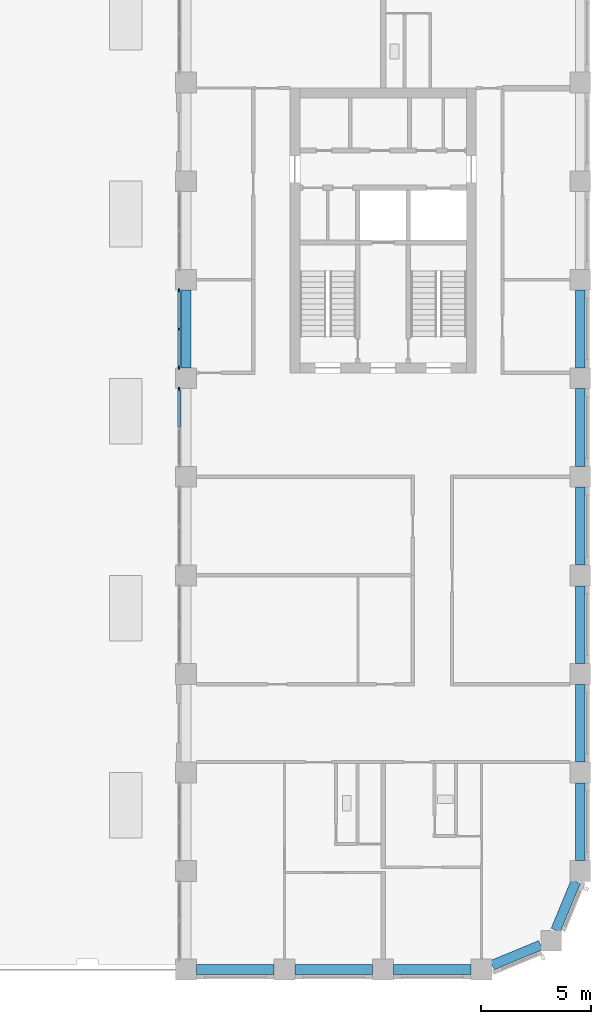
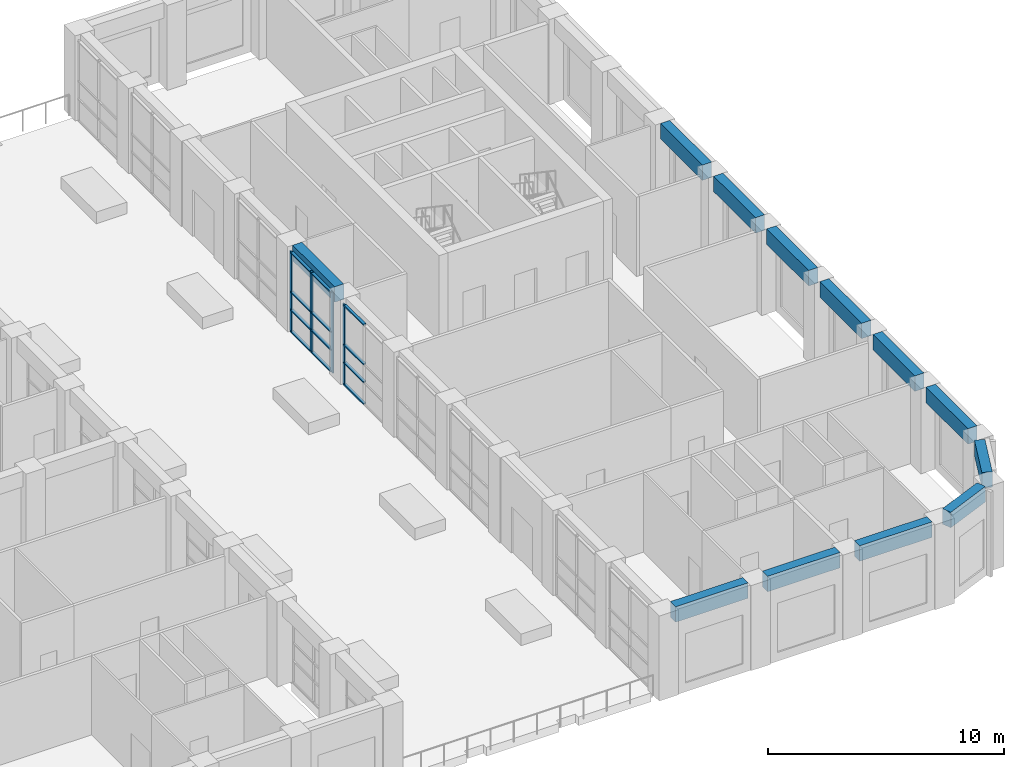
# One storey, part 4 of 20: 16 members, 12 beams, 2 elements without a shape of their own.
"""IFC4 building model written with IfcOpenShell, lengths in metres."""

import ifcopenshell
import ifcopenshell.guid

model = None  # the IFC model being written
_history = None  # IfcOwnerHistory: only IFC2X3 demands one
_inside = {}  # id of a spatial element -> (the spatial element, [elements in it])
_under = {}  # id of a project, library or spatial element -> (it, [spatial elements below it])
_declared = {}  # id of a project -> (the project, [libraries it declares])
_typed = {}  # id of a type object -> (the type object, [elements of that type])
_made_of = {}  # id of a material, layer set ... -> (it, [elements and type objects made of it])


def new_model(schema):
    """Start an empty IFC model of exactly this schema.

    Asked for "IFC4X3", IfcOpenShell would pick the latest addendum, in which some entities
    have other attributes; the version numbers below select the first issue.
    IFC2X3 requires an IfcOwnerHistory on every rooted entity: one is made here for all.
    """
    global model, _history
    if schema == "IFC4X3":
        model = ifcopenshell.file(schema_version=(4, 3, 0, 0))
    else:
        model = ifcopenshell.file(schema=schema)
    _inside.clear()
    _under.clear()
    _declared.clear()
    _typed.clear()
    _made_of.clear()
    _history = None
    if model.schema == "IFC2X3":
        org = make("IfcOrganization", Name="unknown")
        user = make(
            "IfcPersonAndOrganization",
            ThePerson=make("IfcPerson", FamilyName="unknown"),
            TheOrganization=org,
        )
        app = make(
            "IfcApplication",
            ApplicationDeveloper=org,
            Version="unknown",
            ApplicationFullName="unknown",
            ApplicationIdentifier="unknown",
        )
        _history = make(
            "IfcOwnerHistory",
            OwningUser=user,
            OwningApplication=app,
            ChangeAction="ADDED",
            CreationDate=0,
        )
    return model


def make(cls, **values):
    """One entity of the class cls with the attributes given. An attribute that is None is left unset."""
    return model.create_entity(
        cls, **{name: value for name, value in values.items() if value is not None}
    )


def rooted(cls, **values):
    """An entity with a GlobalId (a new one), such as an element, a storey or a relation."""
    return make(cls, GlobalId=ifcopenshell.guid.new(), OwnerHistory=_history, **values)


def si_unit(unit_type, name, prefix=None):
    """IfcSIUnit, for example si_unit("LENGTHUNIT", "METRE", prefix="MILLI")."""
    return make("IfcSIUnit", UnitType=unit_type, Prefix=prefix, Name=name)


def assignment(units):
    """IfcUnitAssignment: the units of a project."""
    return None if units is None else make("IfcUnitAssignment", Units=units)


def point(xyz):
    """IfcCartesianPoint."""
    return None if xyz is None else make("IfcCartesianPoint", Coordinates=xyz)


def direction(xyz):
    """IfcDirection."""
    return None if xyz is None else make("IfcDirection", DirectionRatios=xyz)


def frame(location, z_axis=None, x_axis=None):
    """IfcAxis2Placement3D, a coordinate frame: its origin and axes. An axis left out is left unset."""
    return make(
        "IfcAxis2Placement3D",
        Location=point(location),
        Axis=direction(z_axis),
        RefDirection=direction(x_axis),
    )


def frame_2d(location, x_axis=None):
    """IfcAxis2Placement2D, a coordinate frame in the plane: its origin and x axis."""
    return make(
        "IfcAxis2Placement2D", Location=point(location), RefDirection=direction(x_axis)
    )


def origin():
    """The frame at (0, 0, 0) with its axes left unset."""
    return frame((0.0, 0.0, 0.0))


def origin_2d():
    """The frame at (0, 0) in the plane with its x axis left unset."""
    return frame_2d((0.0, 0.0))


def place(relative_to, where):
    """IfcLocalPlacement: puts the frame where relative to a parent placement (None: the world)."""
    return make(
        "IfcLocalPlacement", PlacementRelTo=relative_to, RelativePlacement=where
    )


def context(
    kind, dimensions, precision=None, world=None, true_north=None, identifier=None
):
    """IfcGeometricRepresentationContext, for example the 3D "Model" context."""
    return make(
        "IfcGeometricRepresentationContext",
        ContextIdentifier=identifier,
        ContextType=kind,
        CoordinateSpaceDimension=dimensions,
        Precision=precision,
        WorldCoordinateSystem=world,
        TrueNorth=true_north,
    )


def subcontext(parent, identifier, kind, view, scale=None):
    """IfcGeometricRepresentationSubContext, for example "Body" below "Model"."""
    return make(
        "IfcGeometricRepresentationSubContext",
        ContextIdentifier=identifier,
        ContextType=kind,
        ParentContext=parent,
        TargetScale=scale,
        TargetView=view,
    )


def project(units=None, contexts=None):
    """IfcProject with its units and contexts."""
    return rooted(
        "IfcProject",
        Name="project",
        RepresentationContexts=contexts,
        UnitsInContext=assignment(units),
    )


def spatial(cls, under=None, at=None, **own):
    """A site, building, storey or space (cls), placed at a placement, below another one or the project."""
    s = rooted(cls, ObjectPlacement=at, **own)
    if under is not None:
        _under.setdefault(under.id(), (under, []))[1].append(s)
    return s


def profile(cls, at=None, kind="AREA", **sizes):
    """A parametric profile (cls). Its sizes go by their IFC names, for example OverallWidth=200.0."""
    return make(cls, ProfileType=kind, Position=at, **sizes)


def rectangle(**sizes):
    """IfcRectangleProfileDef."""
    return profile("IfcRectangleProfileDef", **sizes)


def extrude(swept, where, along, depth):
    """IfcExtrudedAreaSolid: the profile swept, set in the frame where, extruded along a direction by depth."""
    return make(
        "IfcExtrudedAreaSolid",
        SweptArea=swept,
        Position=where,
        ExtrudedDirection=direction(along),
        Depth=depth,
    )


def shape(context_of_items, identifier, shape_type, items):
    """IfcShapeRepresentation: the items that make up one representation, for example the "Body"."""
    return make(
        "IfcShapeRepresentation",
        ContextOfItems=context_of_items,
        RepresentationIdentifier=identifier,
        RepresentationType=shape_type,
        Items=items,
    )


def material(Name=None, Category=None):
    """IfcMaterial."""
    return make("IfcMaterial", Name=Name, Category=Category)


def material_profile(
    of_material, cross_section, Name=None, Category=None, Priority=None
):
    """IfcMaterialProfile: a cross section and its material."""
    return make(
        "IfcMaterialProfile",
        Name=Name,
        Material=of_material,
        Profile=cross_section,
        Priority=Priority,
        Category=Category,
    )


def profile_set(profiles, Name=None, composite=None):
    """IfcMaterialProfileSet."""
    return make(
        "IfcMaterialProfileSet",
        Name=Name,
        MaterialProfiles=profiles,
        CompositeProfile=composite,
    )


def made_of(thing, what):
    """Note that an element or type object is made of a material, layer set ...; save() writes the relation."""
    if what is not None:
        _made_of.setdefault(what.id(), (what, []))[1].append(thing)
    return thing


def type_object(cls, material=None, **own):
    """A type object (cls), such as IfcWallType, which elements share."""
    return made_of(rooted(cls, **own), material)


def element(
    cls,
    number,
    at=None,
    inside=None,
    cuts=None,
    type_object=None,
    material=None,
    context=None,
    identifier="Body",
    shape_type=None,
    held_by="IfcProductDefinitionShape",
    body=None,
    shapes=None,
    **own,
):
    """One element of the class cls, such as IfcWall. Its Tag is "e" and its number.

    at: its placement. inside: the storey or other place that contains it. cuts: it is an
    opening in that element (IfcRelVoidsElement). A single representation is given by context,
    identifier, shape_type and body (its items); several are given by shapes. held_by: the class
    of the entity that holds the representations. save() writes the other relations.
    """
    e = rooted(cls, Tag="e%d" % number, ObjectPlacement=at, **own)
    if body is not None:
        shapes = [shape(context, identifier, shape_type, body)]
    if shapes is not None:
        e.Representation = make(held_by, Representations=shapes)
    if inside is not None:
        _inside.setdefault(inside.id(), (inside, []))[1].append(e)
    if cuts is not None:
        rooted(
            "IfcRelVoidsElement", RelatingBuildingElement=cuts, RelatedOpeningElement=e
        )
    if type_object is not None:
        _typed.setdefault(type_object.id(), (type_object, []))[1].append(e)
    return made_of(e, material)


def aggregate(whole, parts):
    """IfcRelAggregates: a whole, such as a stair, and the parts it consists of."""
    return rooted("IfcRelAggregates", RelatingObject=whole, RelatedObjects=parts)


def save(model, path):
    """Write the relations noted so far, then the file.

    IfcRelAggregates (storeys below a building ...), IfcRelContainedInSpatialStructure (elements
    in a storey), IfcRelDefinesByType, IfcRelAssociatesMaterial and IfcRelDeclares: one each for
    every whole, place, type object, material and project.
    """
    for whole, parts in _under.values():
        aggregate(whole, parts)
    for where, things in _inside.values():
        rooted(
            "IfcRelContainedInSpatialStructure",
            RelatedElements=things,
            RelatingStructure=where,
        )
    for kind, things in _typed.values():
        rooted("IfcRelDefinesByType", RelatedObjects=things, RelatingType=kind)
    for what, things in _made_of.values():
        rooted("IfcRelAssociatesMaterial", RelatedObjects=things, RelatingMaterial=what)
    for by, libraries in _declared.values():
        rooted("IfcRelDeclares", RelatingContext=by, RelatedDefinitions=libraries)
    model.write(path)


model = new_model("IFC4")

# Units and contexts
model_context = context("Model", 3, precision=1e-05, world=origin(), true_north=direction((0.0, 1.0)))
body_context = subcontext(model_context, "Body", "Model", "MODEL_VIEW")
ifc_project = project(units=[si_unit("LENGTHUNIT", "METRE"), si_unit("AREAUNIT", "SQUARE_METRE"), si_unit("VOLUMEUNIT", "CUBIC_METRE"), si_unit("PLANEANGLEUNIT", "RADIAN"), si_unit("MASSUNIT", "GRAM", prefix="KILO")], contexts=[model_context])

# Site, building, storey
site_placement = place(None, origin())
site = spatial("IfcSite", under=ifc_project, at=site_placement, CompositionType="ELEMENT")
building_placement = place(site_placement, origin())
building = spatial("IfcBuilding", under=site, at=building_placement, Name="Girih Gate Residences", CompositionType="ELEMENT")
storey_placement = place(building_placement, frame((0.0, 0.0, 146.199951171875)))
storey = spatial("IfcBuildingStorey", under=building, at=storey_placement, Name="L41", CompositionType="ELEMENT", Elevation=146.199951171875)

# Curtain wall, members
ifc_material_1 = material(Name="Aluminium curtain wall frame", Category="aluminium")
curtain_wall_type = type_object("IfcCurtainWallType", Name="Curtain wall CW-3 sky lounge glazing", PredefinedType="NOTDEFINED", material=ifc_material_1)
curtain_wall_1_placement = place(storey_placement, origin())
curtain_wall_1 = element("IfcCurtainWall", 1, at=curtain_wall_1_placement, inside=storey, type_object=curtain_wall_type, Name="CW-3 Sky lounge glazing W0315_0495.4", PredefinedType="NOTDEFINED")
ifc_material_profile_1 = material_profile(ifc_material_1, rectangle(XDim=0.06005859375, YDim=0.179931640625, at=origin_2d()))
ifc_profile_set_1 = profile_set([ifc_material_profile_1], Name="Aluminium curtain wall frame")
member_type_1 = type_object("IfcMemberType", Name="Curtain wall mullion 60x180", PredefinedType="MULLION", material=ifc_profile_set_1)
member_1_placement = place(storey_placement, frame((31.18505859375, 30.9951171875, 0.0), z_axis=(0.0, 0.0, 1.0), x_axis=(1.0, 0.0, 0.0)))
member_1 = element("IfcMember", 2, at=member_1_placement, type_object=member_type_1, Name="CW-3 mullion 1", PredefinedType="MULLION", context=body_context, shape_type="SweptSolid", body=[
    extrude(rectangle(XDim=0.06005859375, YDim=0.179931640625, at=origin_2d()), origin(), (0.0, 0.0, 1.0), 4.150146484375),
])
member_2_placement = place(storey_placement, frame((31.18505859375, 29.25, 0.0), z_axis=(0.0, 0.0, 1.0), x_axis=(1.0, 0.0, 0.0)))
member_2 = element("IfcMember", 3, at=member_2_placement, type_object=member_type_1, Name="CW-3 mullion 2", PredefinedType="MULLION", context=body_context, shape_type="SweptSolid", body=[
    extrude(rectangle(XDim=0.06005859375, YDim=0.179931640625, at=origin_2d()), origin(), (0.0, 0.0, 1.0), 4.150146484375),
])
member_3_placement = place(storey_placement, frame((31.18505859375, 27.5048828125, 0.0), z_axis=(0.0, 0.0, 1.0), x_axis=(1.0, 0.0, 0.0)))
member_3 = element("IfcMember", 4, at=member_3_placement, type_object=member_type_1, Name="CW-3 mullion 3", PredefinedType="MULLION", context=body_context, shape_type="SweptSolid", body=[
    extrude(rectangle(XDim=0.06005859375, YDim=0.179931640625, at=origin_2d()), origin(), (0.0, 0.0, 1.0), 4.150146484375),
])

# Curtain wall, member
curtain_wall_2_placement = place(storey_placement, origin())
curtain_wall_2 = element("IfcCurtainWall", 5, at=curtain_wall_2_placement, inside=storey, type_object=curtain_wall_type, Name="CW-3 Sky lounge glazing W0315_0495.5", PredefinedType="NOTDEFINED")
member_4_placement = place(storey_placement, frame((31.18505859375, 26.4951171875, 0.0), z_axis=(0.0, 0.0, 1.0), x_axis=(1.0, 0.0, 0.0)))
member_4 = element("IfcMember", 6, at=member_4_placement, type_object=member_type_1, Name="CW-3 mullion 1", PredefinedType="MULLION", context=body_context, shape_type="SweptSolid", body=[
    extrude(rectangle(XDim=0.06005859375, YDim=0.179931640625, at=origin_2d()), origin(), (0.0, 0.0, 1.0), 4.150146484375),
])

# Member
ifc_material_profile_2 = material_profile(ifc_material_1, rectangle(XDim=0.139892578125, YDim=0.06005859375, at=origin_2d()))
ifc_profile_set_2 = profile_set([ifc_material_profile_2], Name="Aluminium curtain wall frame")
member_type_2 = type_object("IfcMemberType", Name="Curtain wall transom 60x140", PredefinedType="USERDEFINED", material=ifc_profile_set_2)
member_5_placement = place(storey_placement, frame((31.18505859375, 30.965087890625, 0.030029296875), z_axis=(0.0, -1.0, 0.0), x_axis=(1.0, 0.0, 0.0)))
member_5 = element("IfcMember", 7, at=member_5_placement, type_object=member_type_2, Name="CW-3 transom 1.1", ObjectType="TRANSOM", PredefinedType="USERDEFINED", context=body_context, shape_type="SweptSolid", body=[
    extrude(rectangle(XDim=0.139892578125, YDim=0.06005859375, at=origin_2d()), origin(), (0.0, 0.0, 1.0), 1.68505859375),
])

member_6_placement = place(storey_placement, frame((31.18505859375, 30.965087890625, 1.150146484375), z_axis=(0.0, -1.0, 0.0), x_axis=(1.0, 0.0, 0.0)))
member_6 = element("IfcMember", 8, at=member_6_placement, type_object=member_type_2, Name="CW-3 transom 1.2", ObjectType="TRANSOM", PredefinedType="USERDEFINED", context=body_context, shape_type="SweptSolid", body=[
    extrude(rectangle(XDim=0.139892578125, YDim=0.06005859375, at=origin_2d()), origin(), (0.0, 0.0, 1.0), 1.68505859375),
])

member_7_placement = place(storey_placement, frame((31.18505859375, 30.965087890625, 2.074951171875), z_axis=(0.0, -1.0, 0.0), x_axis=(1.0, 0.0, 0.0)))
member_7 = element("IfcMember", 9, at=member_7_placement, type_object=member_type_2, Name="CW-3 transom 1.3", ObjectType="TRANSOM", PredefinedType="USERDEFINED", context=body_context, shape_type="SweptSolid", body=[
    extrude(rectangle(XDim=0.139892578125, YDim=0.06005859375, at=origin_2d()), origin(), (0.0, 0.0, 1.0), 1.68505859375),
])

member_8_placement = place(storey_placement, frame((31.18505859375, 30.965087890625, 4.1201171875), z_axis=(0.0, -1.0, 0.0), x_axis=(1.0, 0.0, 0.0)))
member_8 = element("IfcMember", 10, at=member_8_placement, type_object=member_type_2, Name="CW-3 transom 1.4", ObjectType="TRANSOM", PredefinedType="USERDEFINED", context=body_context, shape_type="SweptSolid", body=[
    extrude(rectangle(XDim=0.139892578125, YDim=0.06005859375, at=origin_2d()), origin(), (0.0, 0.0, 1.0), 1.68505859375),
])

member_9_placement = place(storey_placement, frame((31.18505859375, 29.219970703125, 0.030029296875), z_axis=(0.0, -1.0, 0.0), x_axis=(1.0, 0.0, 0.0)))
member_9 = element("IfcMember", 11, at=member_9_placement, type_object=member_type_2, Name="CW-3 transom 2.1", ObjectType="TRANSOM", PredefinedType="USERDEFINED", context=body_context, shape_type="SweptSolid", body=[
    extrude(rectangle(XDim=0.139892578125, YDim=0.06005859375, at=origin_2d()), origin(), (0.0, 0.0, 1.0), 1.68505859375),
])

member_10_placement = place(storey_placement, frame((31.18505859375, 29.219970703125, 1.150146484375), z_axis=(0.0, -1.0, 0.0), x_axis=(1.0, 0.0, 0.0)))
member_10 = element("IfcMember", 12, at=member_10_placement, type_object=member_type_2, Name="CW-3 transom 2.2", ObjectType="TRANSOM", PredefinedType="USERDEFINED", context=body_context, shape_type="SweptSolid", body=[
    extrude(rectangle(XDim=0.139892578125, YDim=0.06005859375, at=origin_2d()), origin(), (0.0, 0.0, 1.0), 1.68505859375),
])

member_11_placement = place(storey_placement, frame((31.18505859375, 29.219970703125, 2.074951171875), z_axis=(0.0, -1.0, 0.0), x_axis=(1.0, 0.0, 0.0)))
member_11 = element("IfcMember", 13, at=member_11_placement, type_object=member_type_2, Name="CW-3 transom 2.3", ObjectType="TRANSOM", PredefinedType="USERDEFINED", context=body_context, shape_type="SweptSolid", body=[
    extrude(rectangle(XDim=0.139892578125, YDim=0.06005859375, at=origin_2d()), origin(), (0.0, 0.0, 1.0), 1.68505859375),
])

member_12_placement = place(storey_placement, frame((31.18505859375, 29.219970703125, 4.1201171875), z_axis=(0.0, -1.0, 0.0), x_axis=(1.0, 0.0, 0.0)))
member_12 = element("IfcMember", 14, at=member_12_placement, type_object=member_type_2, Name="CW-3 transom 2.4", ObjectType="TRANSOM", PredefinedType="USERDEFINED", context=body_context, shape_type="SweptSolid", body=[
    extrude(rectangle(XDim=0.139892578125, YDim=0.06005859375, at=origin_2d()), origin(), (0.0, 0.0, 1.0), 1.68505859375),
])

aggregate(curtain_wall_1, [member_1, member_2, member_3, member_5, member_6, member_7, member_8, member_9, member_10, member_11, member_12])

member_13_placement = place(storey_placement, frame((31.18505859375, 26.465087890625, 0.030029296875), z_axis=(0.0, -1.0, 0.0), x_axis=(1.0, 0.0, 0.0)))
member_13 = element("IfcMember", 15, at=member_13_placement, type_object=member_type_2, Name="CW-3 transom 1.1", ObjectType="TRANSOM", PredefinedType="USERDEFINED", context=body_context, shape_type="SweptSolid", body=[
    extrude(rectangle(XDim=0.139892578125, YDim=0.06005859375, at=origin_2d()), origin(), (0.0, 0.0, 1.0), 1.68505859375),
])

member_14_placement = place(storey_placement, frame((31.18505859375, 26.465087890625, 1.150146484375), z_axis=(0.0, -1.0, 0.0), x_axis=(1.0, 0.0, 0.0)))
member_14 = element("IfcMember", 16, at=member_14_placement, type_object=member_type_2, Name="CW-3 transom 1.2", ObjectType="TRANSOM", PredefinedType="USERDEFINED", context=body_context, shape_type="SweptSolid", body=[
    extrude(rectangle(XDim=0.139892578125, YDim=0.06005859375, at=origin_2d()), origin(), (0.0, 0.0, 1.0), 1.68505859375),
])

member_15_placement = place(storey_placement, frame((31.18505859375, 26.465087890625, 2.074951171875), z_axis=(0.0, -1.0, 0.0), x_axis=(1.0, 0.0, 0.0)))
member_15 = element("IfcMember", 17, at=member_15_placement, type_object=member_type_2, Name="CW-3 transom 1.3", ObjectType="TRANSOM", PredefinedType="USERDEFINED", context=body_context, shape_type="SweptSolid", body=[
    extrude(rectangle(XDim=0.139892578125, YDim=0.06005859375, at=origin_2d()), origin(), (0.0, 0.0, 1.0), 1.68505859375),
])

member_16_placement = place(storey_placement, frame((31.18505859375, 26.465087890625, 4.1201171875), z_axis=(0.0, -1.0, 0.0), x_axis=(1.0, 0.0, 0.0)))
member_16 = element("IfcMember", 18, at=member_16_placement, type_object=member_type_2, Name="CW-3 transom 1.4", ObjectType="TRANSOM", PredefinedType="USERDEFINED", context=body_context, shape_type="SweptSolid", body=[
    extrude(rectangle(XDim=0.139892578125, YDim=0.06005859375, at=origin_2d()), origin(), (0.0, 0.0, 1.0), 1.68505859375),
])

aggregate(curtain_wall_2, [member_4, member_13, member_14, member_15, member_16])

# Beams
ifc_material_2 = material(Name="Concrete C60/75", Category="concrete")
ifc_material_profile_3 = material_profile(ifc_material_2, rectangle(XDim=0.449951171875, YDim=0.800048828125, at=origin_2d()))
ifc_profile_set_3 = profile_set([ifc_material_profile_3], Name="Concrete C60/75")
beam_type = type_object("IfcBeamType", Name="Spandrel girder RC 450x800 Concrete C60/75", PredefinedType="BEAM", material=ifc_profile_set_3)
for number, where, z_axis, x_axis, name in (
    (19, (31.97509765625, 0.0, 4.0), (1.0, 0.0, 0.0), (0.0, 1.0, 0.0), "Spandrel girder SP-P8A-P9A L41"),
    (20, (36.47509765625, 0.0, 4.0), (1.0, 0.0, 0.0), (0.0, 1.0, 0.0), "Spandrel girder SP-P9A-P10A L41"),
    (21, (40.97509765625, 0.0, 4.0), (1.0, 0.0, 0.0), (0.0, 1.0, 0.0), "Spandrel girder SP-P10A-P11A L41"),
):
    element("IfcBeam", number, at=place(storey_placement, frame(where, z_axis=z_axis, x_axis=x_axis)), inside=storey, type_object=beam_type, Name=name, PredefinedType="BEAM", context=body_context, shape_type="SweptSolid", body=[
        extrude(rectangle(XDim=0.449951171875, YDim=0.800048828125, at=origin_2d()), origin(), (0.0, 0.0, 1.0), 3.5498046875),
    ])
for number, where, z_axis, x_axis, name in (
    (22, (45.47509765625, 0.19677734375, 4.0), (0.923870256451, 0.382705825988, 0.0), (-0.382705825988, 0.923870256451, 0.0), "Spandrel girder SP-P11A-P12ANW L41"),
    (23, (48.378662109375, 1.79296875, 4.0), (0.382705825988, 0.923870256451, 0.0), (-0.923870256451, 0.382705825988, 0.0), "Spandrel girder SP-P12ANW-P12B L41"),
):
    element("IfcBeam", number, at=place(storey_placement, frame(where, z_axis=z_axis, x_axis=x_axis)), inside=storey, type_object=beam_type, Name=name, PredefinedType="BEAM", context=body_context, shape_type="SweptSolid", body=[
        extrude(rectangle(XDim=0.449951171875, YDim=0.800048828125, at=origin_2d()), origin(), (0.0, 0.0, 1.0), 2.415771484375),
    ])
for number, where, z_axis, x_axis, name in (
    (24, (49.5, 4.97509765625, 4.0), (0.0, 1.0, 0.0), (-1.0, 0.0, 0.0), "Spandrel girder SP-P12B-P12C L41"),
    (25, (49.5, 9.47509765625, 4.0), (0.0, 1.0, 0.0), (-1.0, 0.0, 0.0), "Spandrel girder SP-P12C-P12D L41"),
    (26, (49.5, 13.97509765625, 4.0), (0.0, 1.0, 0.0), (-1.0, 0.0, 0.0), "Spandrel girder SP-P12D-P12E L41"),
    (27, (49.5, 18.47509765625, 4.0), (0.0, 1.0, 0.0), (-1.0, 0.0, 0.0), "Spandrel girder SP-P12E-P12F L41"),
    (28, (49.5, 22.97509765625, 4.0), (0.0, 1.0, 0.0), (-1.0, 0.0, 0.0), "Spandrel girder SP-P12F-P12G L41"),
    (29, (49.5, 27.47509765625, 4.0), (0.0, 1.0, 0.0), (-1.0, 0.0, 0.0), "Spandrel girder SP-P12G-P12H L41"),
    (30, (31.5, 31.02490234375, 4.0), (0.0, -1.0, 0.0), (1.0, 0.0, 0.0), "Spandrel girder SP-P8H-P8G L41"),
):
    element("IfcBeam", number, at=place(storey_placement, frame(where, z_axis=z_axis, x_axis=x_axis)), inside=storey, type_object=beam_type, Name=name, PredefinedType="BEAM", context=body_context, shape_type="SweptSolid", body=[
        extrude(rectangle(XDim=0.449951171875, YDim=0.800048828125, at=origin_2d()), origin(), (0.0, 0.0, 1.0), 3.5498046875),
    ])

save(model, "model.ifc")
